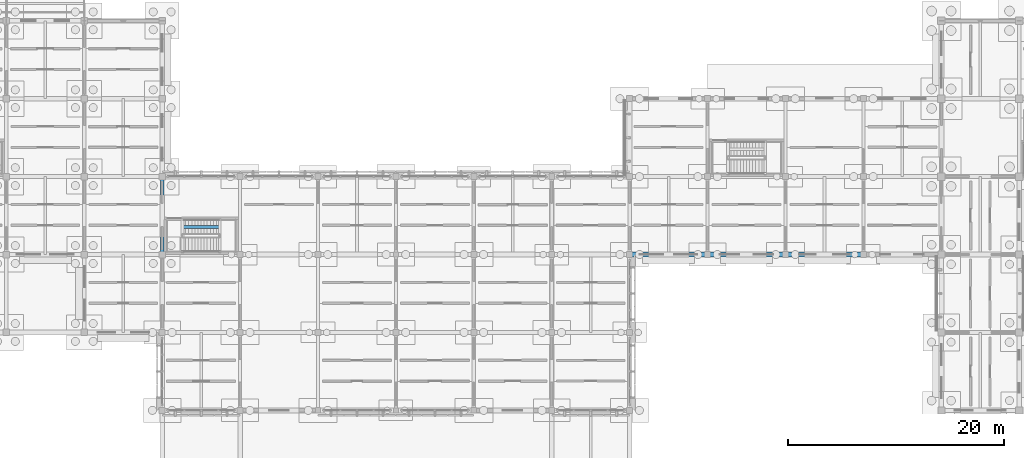
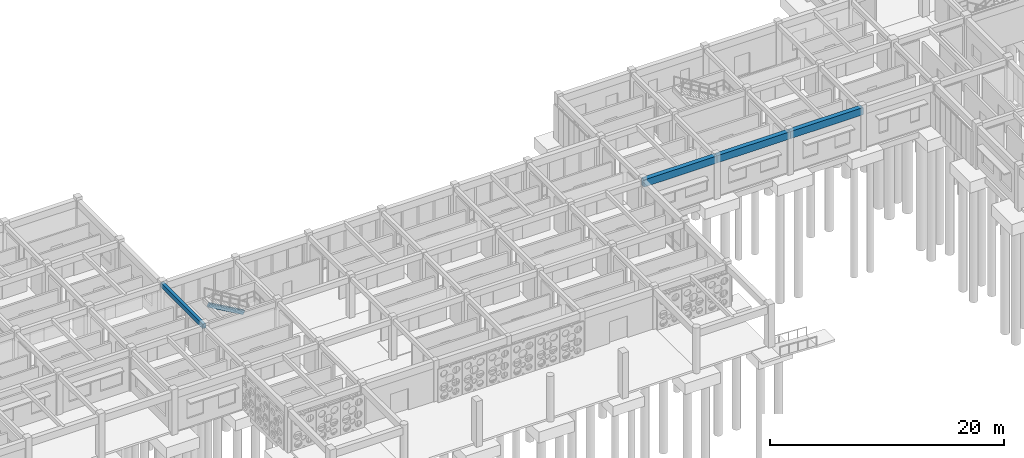
# One storey, part 27 of 111: 5 beams.
"""IFC4 building model written with IfcOpenShell, lengths in metres."""

import ifcopenshell
import ifcopenshell.guid

model = None  # the IFC model being written
_history = None  # IfcOwnerHistory: only IFC2X3 demands one
_inside = {}  # id of a spatial element -> (the spatial element, [elements in it])
_under = {}  # id of a project, library or spatial element -> (it, [spatial elements below it])
_declared = {}  # id of a project -> (the project, [libraries it declares])
_typed = {}  # id of a type object -> (the type object, [elements of that type])
_made_of = {}  # id of a material, layer set ... -> (it, [elements and type objects made of it])


def new_model(schema):
    """Start an empty IFC model of exactly this schema.

    Asked for "IFC4X3", IfcOpenShell would pick the latest addendum, in which some entities
    have other attributes; the version numbers below select the first issue.
    IFC2X3 requires an IfcOwnerHistory on every rooted entity: one is made here for all.
    """
    global model, _history
    if schema == "IFC4X3":
        model = ifcopenshell.file(schema_version=(4, 3, 0, 0))
    else:
        model = ifcopenshell.file(schema=schema)
    _inside.clear()
    _under.clear()
    _declared.clear()
    _typed.clear()
    _made_of.clear()
    _history = None
    if model.schema == "IFC2X3":
        org = make("IfcOrganization", Name="unknown")
        user = make(
            "IfcPersonAndOrganization",
            ThePerson=make("IfcPerson", FamilyName="unknown"),
            TheOrganization=org,
        )
        app = make(
            "IfcApplication",
            ApplicationDeveloper=org,
            Version="unknown",
            ApplicationFullName="unknown",
            ApplicationIdentifier="unknown",
        )
        _history = make(
            "IfcOwnerHistory",
            OwningUser=user,
            OwningApplication=app,
            ChangeAction="ADDED",
            CreationDate=0,
        )
    return model


def make(cls, **values):
    """One entity of the class cls with the attributes given. An attribute that is None is left unset."""
    return model.create_entity(
        cls, **{name: value for name, value in values.items() if value is not None}
    )


def rooted(cls, **values):
    """An entity with a GlobalId (a new one), such as an element, a storey or a relation."""
    return make(cls, GlobalId=ifcopenshell.guid.new(), OwnerHistory=_history, **values)


def si_unit(unit_type, name, prefix=None):
    """IfcSIUnit, for example si_unit("LENGTHUNIT", "METRE", prefix="MILLI")."""
    return make("IfcSIUnit", UnitType=unit_type, Prefix=prefix, Name=name)


def assignment(units):
    """IfcUnitAssignment: the units of a project."""
    return None if units is None else make("IfcUnitAssignment", Units=units)


def point(xyz):
    """IfcCartesianPoint."""
    return None if xyz is None else make("IfcCartesianPoint", Coordinates=xyz)


def direction(xyz):
    """IfcDirection."""
    return None if xyz is None else make("IfcDirection", DirectionRatios=xyz)


def frame(location, z_axis=None, x_axis=None):
    """IfcAxis2Placement3D, a coordinate frame: its origin and axes. An axis left out is left unset."""
    return make(
        "IfcAxis2Placement3D",
        Location=point(location),
        Axis=direction(z_axis),
        RefDirection=direction(x_axis),
    )


def frame_2d(location, x_axis=None):
    """IfcAxis2Placement2D, a coordinate frame in the plane: its origin and x axis."""
    return make(
        "IfcAxis2Placement2D", Location=point(location), RefDirection=direction(x_axis)
    )


def origin():
    """The frame at (0, 0, 0) with its axes left unset."""
    return frame((0.0, 0.0, 0.0))


def origin_2d():
    """The frame at (0, 0) in the plane with its x axis left unset."""
    return frame_2d((0.0, 0.0))


def place(relative_to, where):
    """IfcLocalPlacement: puts the frame where relative to a parent placement (None: the world)."""
    return make(
        "IfcLocalPlacement", PlacementRelTo=relative_to, RelativePlacement=where
    )


def context(
    kind, dimensions, precision=None, world=None, true_north=None, identifier=None
):
    """IfcGeometricRepresentationContext, for example the 3D "Model" context."""
    return make(
        "IfcGeometricRepresentationContext",
        ContextIdentifier=identifier,
        ContextType=kind,
        CoordinateSpaceDimension=dimensions,
        Precision=precision,
        WorldCoordinateSystem=world,
        TrueNorth=true_north,
    )


def subcontext(parent, identifier, kind, view, scale=None):
    """IfcGeometricRepresentationSubContext, for example "Body" below "Model"."""
    return make(
        "IfcGeometricRepresentationSubContext",
        ContextIdentifier=identifier,
        ContextType=kind,
        ParentContext=parent,
        TargetScale=scale,
        TargetView=view,
    )


def project(units=None, contexts=None):
    """IfcProject with its units and contexts."""
    return rooted(
        "IfcProject",
        Name="project",
        RepresentationContexts=contexts,
        UnitsInContext=assignment(units),
    )


def spatial(cls, under=None, at=None, **own):
    """A site, building, storey or space (cls), placed at a placement, below another one or the project."""
    s = rooted(cls, ObjectPlacement=at, **own)
    if under is not None:
        _under.setdefault(under.id(), (under, []))[1].append(s)
    return s


def profile(cls, at=None, kind="AREA", **sizes):
    """A parametric profile (cls). Its sizes go by their IFC names, for example OverallWidth=200.0."""
    return make(cls, ProfileType=kind, Position=at, **sizes)


def rectangle(**sizes):
    """IfcRectangleProfileDef."""
    return profile("IfcRectangleProfileDef", **sizes)


def extrude(swept, where, along, depth):
    """IfcExtrudedAreaSolid: the profile swept, set in the frame where, extruded along a direction by depth."""
    return make(
        "IfcExtrudedAreaSolid",
        SweptArea=swept,
        Position=where,
        ExtrudedDirection=direction(along),
        Depth=depth,
    )


def shape(context_of_items, identifier, shape_type, items):
    """IfcShapeRepresentation: the items that make up one representation, for example the "Body"."""
    return make(
        "IfcShapeRepresentation",
        ContextOfItems=context_of_items,
        RepresentationIdentifier=identifier,
        RepresentationType=shape_type,
        Items=items,
    )


def material(Name=None, Category=None):
    """IfcMaterial."""
    return make("IfcMaterial", Name=Name, Category=Category)


def material_profile(
    of_material, cross_section, Name=None, Category=None, Priority=None
):
    """IfcMaterialProfile: a cross section and its material."""
    return make(
        "IfcMaterialProfile",
        Name=Name,
        Material=of_material,
        Profile=cross_section,
        Priority=Priority,
        Category=Category,
    )


def profile_set(profiles, Name=None, composite=None):
    """IfcMaterialProfileSet."""
    return make(
        "IfcMaterialProfileSet",
        Name=Name,
        MaterialProfiles=profiles,
        CompositeProfile=composite,
    )


def made_of(thing, what):
    """Note that an element or type object is made of a material, layer set ...; save() writes the relation."""
    if what is not None:
        _made_of.setdefault(what.id(), (what, []))[1].append(thing)
    return thing


def type_object(cls, material=None, **own):
    """A type object (cls), such as IfcWallType, which elements share."""
    return made_of(rooted(cls, **own), material)


def element(
    cls,
    number,
    at=None,
    inside=None,
    cuts=None,
    type_object=None,
    material=None,
    context=None,
    identifier="Body",
    shape_type=None,
    held_by="IfcProductDefinitionShape",
    body=None,
    shapes=None,
    **own,
):
    """One element of the class cls, such as IfcWall. Its Tag is "e" and its number.

    at: its placement. inside: the storey or other place that contains it. cuts: it is an
    opening in that element (IfcRelVoidsElement). A single representation is given by context,
    identifier, shape_type and body (its items); several are given by shapes. held_by: the class
    of the entity that holds the representations. save() writes the other relations.
    """
    e = rooted(cls, Tag="e%d" % number, ObjectPlacement=at, **own)
    if body is not None:
        shapes = [shape(context, identifier, shape_type, body)]
    if shapes is not None:
        e.Representation = make(held_by, Representations=shapes)
    if inside is not None:
        _inside.setdefault(inside.id(), (inside, []))[1].append(e)
    if cuts is not None:
        rooted(
            "IfcRelVoidsElement", RelatingBuildingElement=cuts, RelatedOpeningElement=e
        )
    if type_object is not None:
        _typed.setdefault(type_object.id(), (type_object, []))[1].append(e)
    return made_of(e, material)


def aggregate(whole, parts):
    """IfcRelAggregates: a whole, such as a stair, and the parts it consists of."""
    return rooted("IfcRelAggregates", RelatingObject=whole, RelatedObjects=parts)


def save(model, path):
    """Write the relations noted so far, then the file.

    IfcRelAggregates (storeys below a building ...), IfcRelContainedInSpatialStructure (elements
    in a storey), IfcRelDefinesByType, IfcRelAssociatesMaterial and IfcRelDeclares: one each for
    every whole, place, type object, material and project.
    """
    for whole, parts in _under.values():
        aggregate(whole, parts)
    for where, things in _inside.values():
        rooted(
            "IfcRelContainedInSpatialStructure",
            RelatedElements=things,
            RelatingStructure=where,
        )
    for kind, things in _typed.values():
        rooted("IfcRelDefinesByType", RelatedObjects=things, RelatingType=kind)
    for what, things in _made_of.values():
        rooted("IfcRelAssociatesMaterial", RelatedObjects=things, RelatingMaterial=what)
    for by, libraries in _declared.values():
        rooted("IfcRelDeclares", RelatingContext=by, RelatedDefinitions=libraries)
    model.write(path)


model = new_model("IFC4")

# Units and contexts
model_context = context("Model", 3, precision=1e-05, world=origin(), true_north=direction((0.0, 1.0)))
body_context = subcontext(model_context, "Body", "Model", "MODEL_VIEW")
ifc_project = project(units=[si_unit("LENGTHUNIT", "METRE"), si_unit("AREAUNIT", "SQUARE_METRE"), si_unit("VOLUMEUNIT", "CUBIC_METRE"), si_unit("PLANEANGLEUNIT", "RADIAN"), si_unit("MASSUNIT", "GRAM", prefix="KILO")], contexts=[model_context])

# Site, building, storey
site_placement = place(None, origin())
site = spatial("IfcSite", under=ifc_project, at=site_placement, CompositionType="ELEMENT")
building_placement = place(site_placement, origin())
building = spatial("IfcBuilding", under=site, at=building_placement, Name="Aldebral Square Health Centre", CompositionType="ELEMENT")
storey_placement = place(building_placement, origin())
storey = spatial("IfcBuildingStorey", under=building, at=storey_placement, Name="L00", CompositionType="ELEMENT", Elevation=0.0)

# Beams
ifc_material = material(Name="Concrete C40/50", Category="concrete")
ifc_material_profile_1 = material_profile(ifc_material, rectangle(XDim=0.300048828125, YDim=0.449951171875, at=origin_2d()), Name="RC 300x450")
ifc_profile_set_1 = profile_set([ifc_material_profile_1], Name="Concrete C40/50")
beam_type_1 = type_object("IfcBeamType", Name="BM-B5", PredefinedType="BEAM", material=ifc_profile_set_1)
beam_1_placement = place(storey_placement, frame((64.800048828125, 93.60009765625, 3.9951171875), z_axis=(0.0, 1.0, 0.0), x_axis=(-1.0, 0.0, 0.0)))
element("IfcBeam", 1, at=beam_1_placement, inside=storey, type_object=beam_type_1, Name="L00 Y-beam G10/14-15", PredefinedType="BEAM", context=body_context, shape_type="SweptSolid", body=[
    extrude(rectangle(XDim=0.300048828125, YDim=0.449951171875, at=origin_2d()), origin(), (0.0, 0.0, 1.0), 7.199951171875),
])
ifc_material_profile_2 = material_profile(ifc_material, rectangle(XDim=0.25, YDim=0.39990234375, at=origin_2d()), Name="RC 250x400")
ifc_profile_set_2 = profile_set([ifc_material_profile_2], Name="Concrete C40/50")
beam_type_2 = type_object("IfcBeamType", Name="BM-B6", PredefinedType="JOIST", material=ifc_profile_set_2)
beam_2_placement = place(storey_placement, frame((70.1201171875, 96.139892578125, 2.050048828125), z_axis=(-0.867791792995, 0.0, 0.496927966622), x_axis=(0.0, -1.0, 0.0)))
element("IfcBeam", 2, at=beam_2_placement, inside=storey, type_object=beam_type_2, Name="L00 WS-S7 flight stringer beam", PredefinedType="JOIST", context=body_context, shape_type="SweptSolid", body=[
    extrude(rectangle(XDim=0.25, YDim=0.39990234375, at=origin_2d()), origin(), (0.0, 0.0, 1.0), 3.96435546875),
])
ifc_material_profile_3 = material_profile(ifc_material, rectangle(XDim=0.449951171875, YDim=0.75, at=origin_2d()), Name="RC 450x750")
ifc_profile_set_3 = profile_set([ifc_material_profile_3], Name="Concrete C40/50")
beam_type_3 = type_object("IfcBeamType", Name="BM-G2", PredefinedType="T_BEAM", material=ifc_profile_set_3)
for number, where, z_axis, x_axis, name in (
    (3, (108.0, 93.60009765625, 3.844970703125), (1.0, 0.0, 0.0), (0.0, 1.0, 0.0), "L00 X-beam 16-17/G14"),
    (4, (115.199951171875, 93.60009765625, 3.844970703125), (1.0, 0.0, 0.0), (0.0, 1.0, 0.0), "L00 X-beam 17-18/G14"),
):
    element("IfcBeam", number, at=place(storey_placement, frame(where, z_axis=z_axis, x_axis=x_axis)), inside=storey, type_object=beam_type_3, Name=name, PredefinedType="T_BEAM", context=body_context, shape_type="SweptSolid", body=[
        extrude(rectangle(XDim=0.449951171875, YDim=0.75, at=origin_2d()), origin(), (0.0, 0.0, 1.0), 7.199951171875),
    ])
beam_3_placement = place(storey_placement, frame((122.39990234375, 93.60009765625, 3.844970703125), z_axis=(1.0, 0.0, 0.0), x_axis=(0.0, 1.0, 0.0)))
element("IfcBeam", 5, at=beam_3_placement, inside=storey, type_object=beam_type_3, Name="L00 X-beam 18-19/G14", PredefinedType="T_BEAM", context=body_context, shape_type="SweptSolid", body=[
    extrude(rectangle(XDim=0.449951171875, YDim=0.75, at=origin_2d()), origin(), (0.0, 0.0, 1.0), 7.2001953125),
])

save(model, "model.ifc")
